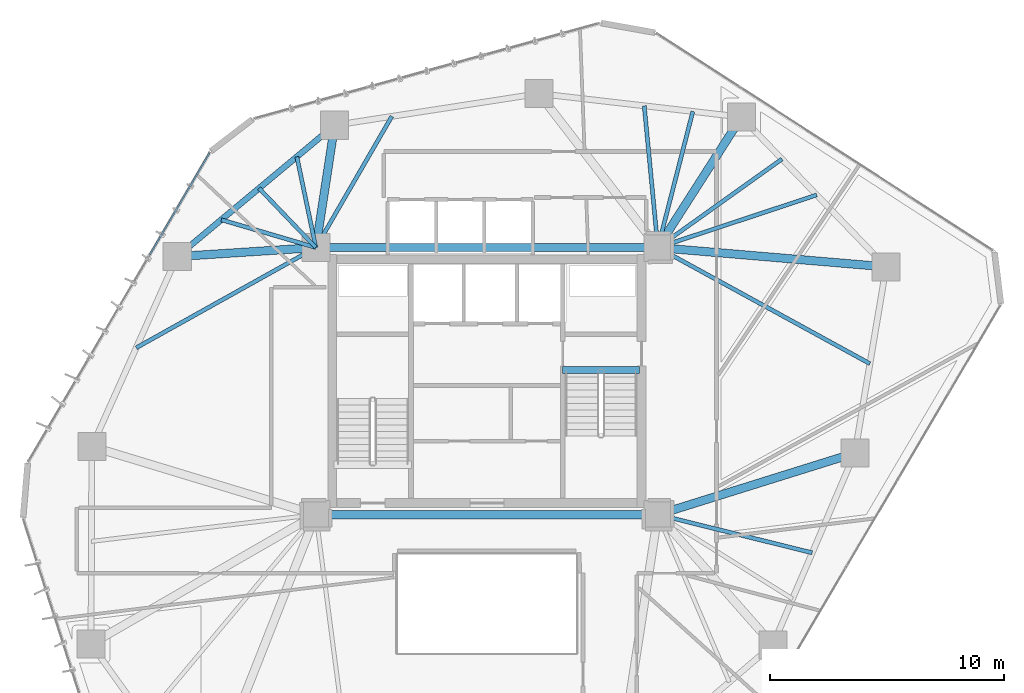
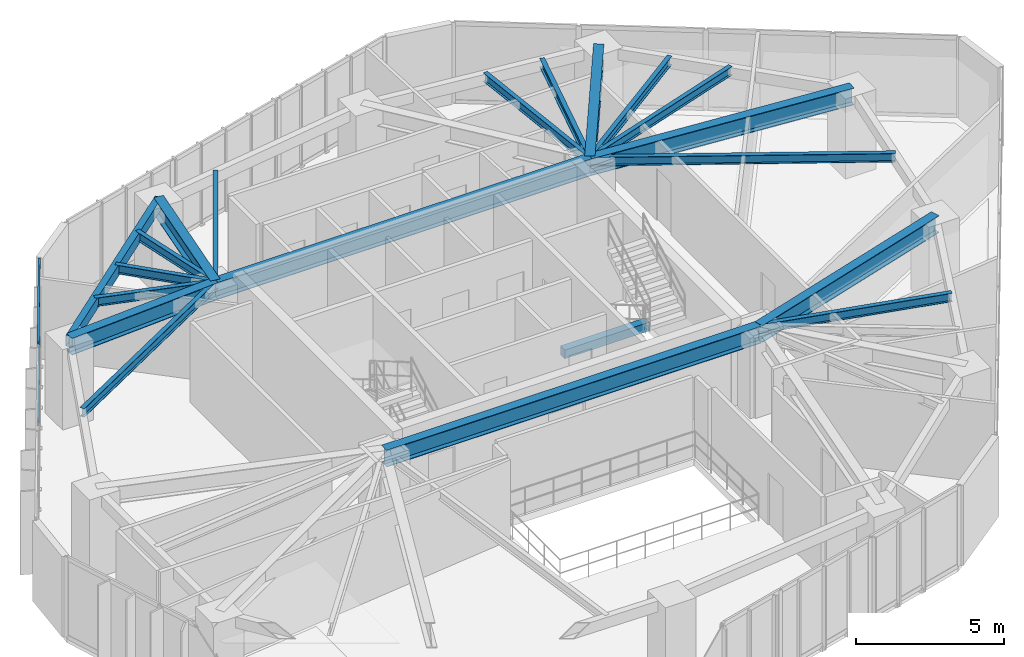
# One storey, part 9 of 20: 20 beams, 2 members, 1 element without a shape of its own.
"""IFC4 building model written with IfcOpenShell, lengths in metres."""

from ifc_helpers import new_model, si_unit, direction, frame, origin, origin_2d, place, context, subcontext, project, spatial, rectangle, hollow_rectangle, i_section, extrude, source, transform, mapped, material, layer, layer_set, material_profile, profile_set, type_object, type_shapes, element, aggregate, save


model = new_model("IFC4")

# Units and contexts
model_context = context("Model", 3, precision=1e-05, world=origin(), true_north=direction((0.0, 1.0)))
body_context = subcontext(model_context, "Body", "Model", "MODEL_VIEW")
ifc_project = project(units=[si_unit("LENGTHUNIT", "METRE"), si_unit("AREAUNIT", "SQUARE_METRE"), si_unit("VOLUMEUNIT", "CUBIC_METRE"), si_unit("PLANEANGLEUNIT", "RADIAN"), si_unit("MASSUNIT", "GRAM", prefix="KILO")], contexts=[model_context])

# Site, building, storey
site_placement = place(None, origin())
site = spatial("IfcSite", under=ifc_project, at=site_placement, CompositionType="ELEMENT")
building_placement = place(site_placement, origin())
building = spatial("IfcBuilding", under=site, at=building_placement, Name="Talar Marvaseh", CompositionType="ELEMENT")
storey_placement = place(building_placement, frame((0.0, 0.0, 136.199951171875)))
storey = spatial("IfcBuildingStorey", under=building, at=storey_placement, Name="L35", CompositionType="ELEMENT", Elevation=136.199951171875)

# Beams
ifc_material_1 = material(Name="Concrete C40/50", Category="concrete")
ifc_material_profile_1 = material_profile(ifc_material_1, rectangle(XDim=0.300048828125, YDim=0.360107421875, at=origin_2d()), Name="RC300x360")
ifc_profile_set_1 = profile_set([ifc_material_profile_1], Name="Concrete C40/50")
beam_type_1 = type_object("IfcBeamType", Name="Concrete Stair Landing Trimmer Beam RC300x360", PredefinedType="SPANDREL", material=ifc_profile_set_1)
beam_1_placement = place(storey_placement, frame((29.219970703125, 31.669921875, -0.179931640625), z_axis=(1.0, 0.0, 0.0), x_axis=(0.0, 1.0, 0.0)))
element("IfcBeam", 1, at=beam_1_placement, inside=storey, type_object=beam_type_1, Name="L35 ST-2 Stair Nosing Trimmer Beam", PredefinedType="SPANDREL", context=body_context, shape_type="SweptSolid", body=[
    extrude(rectangle(XDim=0.300048828125, YDim=0.360107421875, at=origin_2d()), origin(), (0.0, 0.0, 1.0), 3.300048828125),
])
ifc_material_2 = material(Name="Steel S355", Category="steel")
ifc_material_profile_2 = material_profile(ifc_material_2, hollow_rectangle(XDim=0.25, YDim=0.449951171875, WallThickness=0.01611328125, at=origin_2d()), Name="RHS450x250x16")
ifc_profile_set_2 = profile_set([ifc_material_profile_2], Name="Steel S355")
beam_type_2 = type_object("IfcBeamType", Name="Zone 2 Perimeter Spandrel Beam RHS450x250x16", PredefinedType="SPANDREL", material=ifc_profile_set_2)
beam_2_placement = place(storey_placement, frame((12.780029296875, 36.51708984375, 3.0849609375), z_axis=(0.76793081465, 0.640532796905, 0.0), x_axis=(-0.640532796905, 0.76793081465, 0.0)))
element("IfcBeam", 2, at=beam_2_placement, inside=storey, type_object=beam_type_2, Name="L35 Zone 2 Perimeter Spandrel Beam RHS450x250x16", PredefinedType="SPANDREL", context=body_context, shape_type="SweptSolid", body=[
    extrude(hollow_rectangle(XDim=0.25, YDim=0.449951171875, WallThickness=0.01611328125, at=origin_2d()), origin(), (0.0, 0.0, 1.0), 8.751953125),
])
ifc_material_profile_3 = material_profile(ifc_material_2, i_section(OverallWidth=0.35498046875, OverallDepth=0.695068359375, WebThickness=0.015380859375, FlangeThickness=0.02490234375, at=origin_2d()), Name="W690x217")
ifc_profile_set_3 = profile_set([ifc_material_profile_3], Name="Steel S355")
beam_type_3 = type_object("IfcBeamType", Name="Zone 2 Radial Floor Girder W690x217", PredefinedType="BEAM", material=ifc_profile_set_3)
for number, where, z_axis, x_axis, name in (
    (3, (18.699951171875, 25.5, 2.962646484375), (1.0, 0.0, 0.0), (0.0, 1.0, 0.0), "L35 Zone 2 Radial Floor Girder W690x217"),
    (4, (18.699951171875, 36.89990234375, 2.962646484375), (1.0, 0.0, 0.0), (0.0, 1.0, 0.0), "L35 Zone 2 Radial Floor Girder W690x217"),
):
    element("IfcBeam", number, at=place(storey_placement, frame(where, z_axis=z_axis, x_axis=x_axis)), inside=storey, type_object=beam_type_3, Name=name, PredefinedType="BEAM", context=body_context, shape_type="SweptSolid", body=[
        extrude(i_section(OverallWidth=0.35498046875, OverallDepth=0.695068359375, WebThickness=0.015380859375, FlangeThickness=0.02490234375, at=origin_2d()), origin(), (0.0, 0.0, 1.0), 14.60009765625),
    ])
beam_3_placement = place(storey_placement, frame((36.865966796875, 42.470947265625, 2.962646484375), z_axis=(-0.539101874952, -0.842240564461, 0.0), x_axis=(0.842240564461, -0.539101874952, 0.0)))
element("IfcBeam", 5, at=beam_3_placement, inside=storey, type_object=beam_type_3, Name="L35 Zone 2 Radial Floor Girder W690x217", PredefinedType="BEAM", context=body_context, shape_type="SweptSolid", body=[
    extrude(i_section(OverallWidth=0.35498046875, OverallDepth=0.695068359375, WebThickness=0.015380859375, FlangeThickness=0.02490234375, at=origin_2d()), origin(), (0.0, 0.0, 1.0), 6.614501953125),
])
beam_4_placement = place(storey_placement, frame((43.0439453125, 36.075927734375, 2.962646484375), z_axis=(-0.996443598923, 0.084262412527, 0.0), x_axis=(-0.084262412527, -0.996443598923, 0.0)))
element("IfcBeam", 6, at=beam_4_placement, inside=storey, type_object=beam_type_3, Name="L35 Zone 2 Radial Floor Girder W690x217", PredefinedType="BEAM", context=body_context, shape_type="SweptSolid", body=[
    extrude(i_section(OverallWidth=0.35498046875, OverallDepth=0.695068359375, WebThickness=0.015380859375, FlangeThickness=0.02490234375, at=origin_2d()), origin(), (0.0, 0.0, 1.0), 9.778564453125),
])
beam_5_placement = place(storey_placement, frame((41.708984375, 28.1279296875, 2.962646484375), z_axis=(-0.954475540106, -0.298289194138, 0.0), x_axis=(0.298289194138, -0.954475540106, 0.0)))
element("IfcBeam", 7, at=beam_5_placement, inside=storey, type_object=beam_type_3, Name="L35 Zone 2 Radial Floor Girder W690x217", PredefinedType="BEAM", context=body_context, shape_type="SweptSolid", body=[
    extrude(i_section(OverallWidth=0.35498046875, OverallDepth=0.695068359375, WebThickness=0.015380859375, FlangeThickness=0.02490234375, at=origin_2d()), origin(), (0.0, 0.0, 1.0), 8.81005859375),
])
beam_6_placement = place(storey_placement, frame((12.780029296875, 36.51708984375, 2.962646484375), z_axis=(0.997915745008, 0.064530348407, 0.0), x_axis=(-0.064530348407, 0.997915745008, 0.0)))
element("IfcBeam", 8, at=beam_6_placement, inside=storey, type_object=beam_type_3, Name="L35 Zone 2 Radial Floor Girder W690x217", PredefinedType="BEAM", context=body_context, shape_type="SweptSolid", body=[
    extrude(i_section(OverallWidth=0.35498046875, OverallDepth=0.695068359375, WebThickness=0.015380859375, FlangeThickness=0.02490234375, at=origin_2d()), origin(), (0.0, 0.0, 1.0), 5.932373046875),
])
beam_7_placement = place(storey_placement, frame((19.5009765625, 42.123046875, 2.962646484375), z_axis=(-0.151588471466, -0.98844369355, 0.0), x_axis=(0.98844369355, -0.151588471466, 0.0)))
element("IfcBeam", 9, at=beam_7_placement, inside=storey, type_object=beam_type_3, Name="L35 Zone 2 Radial Floor Girder W690x217", PredefinedType="BEAM", context=body_context, shape_type="SweptSolid", body=[
    extrude(i_section(OverallWidth=0.35498046875, OverallDepth=0.695068359375, WebThickness=0.015380859375, FlangeThickness=0.02490234375, at=origin_2d()), origin(), (0.0, 0.0, 1.0), 5.2841796875),
])
ifc_material_profile_4 = material_profile(ifc_material_2, i_section(OverallWidth=0.172119140625, OverallDepth=0.35791015625, WebThickness=0.0078125, FlangeThickness=0.01318359375, at=origin_2d()), Name="W360x57")
ifc_profile_set_4 = profile_set([ifc_material_profile_4], Name="Steel S355")
beam_type_4 = type_object("IfcBeamType", Name="Zone 2 Secondary Floor Joist W360x57", PredefinedType="JOIST", material=ifc_profile_set_4)
beam_8_placement = place(storey_placement, frame((38.595703125, 40.680419921875, 3.131103515625), z_axis=(-0.813885558782, -0.581025212195, 0.0), x_axis=(0.581025212195, -0.813885558782, 0.0)))
element("IfcBeam", 10, at=beam_8_placement, inside=storey, type_object=beam_type_4, Name="L35 Zone 2 Secondary Floor Joist W360x57", PredefinedType="JOIST", context=body_context, shape_type="SweptSolid", body=[
    extrude(i_section(OverallWidth=0.172119140625, OverallDepth=0.35791015625, WebThickness=0.0078125, FlangeThickness=0.01318359375, at=origin_2d()), origin(), (0.0, 0.0, 1.0), 6.506591796875),
])
beam_9_placement = place(storey_placement, frame((40.07861328125, 39.1455078125, 3.131103515625), z_axis=(-0.949266314022, -0.314473313754, 0.0), x_axis=(0.314473313754, -0.949266314022, 0.0)))
element("IfcBeam", 11, at=beam_9_placement, inside=storey, type_object=beam_type_4, Name="L35 Zone 2 Secondary Floor Joist W360x57", PredefinedType="JOIST", context=body_context, shape_type="SweptSolid", body=[
    extrude(i_section(OverallWidth=0.172119140625, OverallDepth=0.35791015625, WebThickness=0.0078125, FlangeThickness=0.01318359375, at=origin_2d()), origin(), (0.0, 0.0, 1.0), 7.140869140625),
])
beam_10_placement = place(storey_placement, frame((42.349853515625, 31.943115234375, 3.131103515625), z_axis=(-0.877057817553, 0.480384829766, 0.0), x_axis=(-0.480384829766, -0.877057817553, 0.0)))
element("IfcBeam", 12, at=beam_10_placement, inside=storey, type_object=beam_type_4, Name="L35 Zone 2 Secondary Floor Joist W360x57", PredefinedType="JOIST", context=body_context, shape_type="SweptSolid", body=[
    extrude(i_section(OverallWidth=0.172119140625, OverallDepth=0.35791015625, WebThickness=0.0078125, FlangeThickness=0.01318359375, at=origin_2d()), origin(), (0.0, 0.0, 1.0), 10.318359375),
])
beam_11_placement = place(storey_placement, frame((39.887451171875, 23.870849609375, 3.131103515625), z_axis=(-0.970753133019, 0.240079892396, 0.0), x_axis=(-0.240079892396, -0.970753133019, 0.0)))
element("IfcBeam", 13, at=beam_11_placement, inside=storey, type_object=beam_type_4, Name="L35 Zone 2 Secondary Floor Joist W360x57", PredefinedType="JOIST", context=body_context, shape_type="SweptSolid", body=[
    extrude(i_section(OverallWidth=0.172119140625, OverallDepth=0.35791015625, WebThickness=0.0078125, FlangeThickness=0.01318359375, at=origin_2d()), origin(), (0.0, 0.0, 1.0), 6.785888671875),
])
beam_12_placement = place(storey_placement, frame((11.03173828125, 32.621826171875, 3.131103515625), z_axis=(0.873287668061, 0.487204935128, 0.0), x_axis=(-0.487204935128, 0.873287668061, 0.0)))
element("IfcBeam", 14, at=beam_12_placement, inside=storey, type_object=beam_type_4, Name="L35 Zone 2 Secondary Floor Joist W360x57", PredefinedType="JOIST", context=body_context, shape_type="SweptSolid", body=[
    extrude(i_section(OverallWidth=0.172119140625, OverallDepth=0.35791015625, WebThickness=0.0078125, FlangeThickness=0.01318359375, at=origin_2d()), origin(), (0.0, 0.0, 1.0), 8.78076171875),
])
beam_13_placement = place(storey_placement, frame((14.661865234375, 38.086669921875, 3.131103515625), z_axis=(0.959423672171, -0.281968468587, 0.0), x_axis=(0.281968468587, 0.959423672171, 0.0)))
element("IfcBeam", 15, at=beam_13_placement, inside=storey, type_object=beam_type_4, Name="L35 Zone 2 Secondary Floor Joist W360x57", PredefinedType="JOIST", context=body_context, shape_type="SweptSolid", body=[
    extrude(i_section(OverallWidth=0.172119140625, OverallDepth=0.35791015625, WebThickness=0.0078125, FlangeThickness=0.01318359375, at=origin_2d()), origin(), (0.0, 0.0, 1.0), 4.208984375),
])
beam_14_placement = place(storey_placement, frame((16.27490234375, 39.43212890625, 3.131103515625), z_axis=(0.691657292908, -0.722225857449, 0.0), x_axis=(0.722225857449, 0.691657292908, 0.0)))
element("IfcBeam", 16, at=beam_14_placement, inside=storey, type_object=beam_type_4, Name="L35 Zone 2 Secondary Floor Joist W360x57", PredefinedType="JOIST", context=body_context, shape_type="SweptSolid", body=[
    extrude(i_section(OverallWidth=0.172119140625, OverallDepth=0.35791015625, WebThickness=0.0078125, FlangeThickness=0.01318359375, at=origin_2d()), origin(), (0.0, 0.0, 1.0), 3.506103515625),
])
beam_15_placement = place(storey_placement, frame((17.887939453125, 40.777587890625, 3.131103515625), z_axis=(0.204960633597, -0.978770217505, 0.0), x_axis=(0.978770217505, 0.204960633597, 0.0)))
element("IfcBeam", 17, at=beam_15_placement, inside=storey, type_object=beam_type_4, Name="L35 Zone 2 Secondary Floor Joist W360x57", PredefinedType="JOIST", context=body_context, shape_type="SweptSolid", body=[
    extrude(i_section(OverallWidth=0.172119140625, OverallDepth=0.35791015625, WebThickness=0.0078125, FlangeThickness=0.01318359375, at=origin_2d()), origin(), (0.0, 0.0, 1.0), 3.9619140625),
])
beam_16_placement = place(storey_placement, frame((21.94287109375, 42.500732421875, 3.131103515625), z_axis=(-0.501074932228, -0.865403901246, 0.0), x_axis=(0.865403901246, -0.501074932228, 0.0)))
element("IfcBeam", 18, at=beam_16_placement, inside=storey, type_object=beam_type_4, Name="L35 Zone 2 Secondary Floor Joist W360x57", PredefinedType="JOIST", context=body_context, shape_type="SweptSolid", body=[
    extrude(i_section(OverallWidth=0.172119140625, OverallDepth=0.35791015625, WebThickness=0.0078125, FlangeThickness=0.01318359375, at=origin_2d()), origin(), (0.0, 0.0, 1.0), 6.471923828125),
])
beam_17_placement = place(storey_placement, frame((32.716796875, 42.951416015625, 3.131103515625), z_axis=(0.095936604223, -0.995387446159, 0.0), x_axis=(0.995387446159, 0.095936604223, 0.0)))
element("IfcBeam", 19, at=beam_17_placement, inside=storey, type_object=beam_type_4, Name="L35 Zone 2 Secondary Floor Joist W360x57", PredefinedType="JOIST", context=body_context, shape_type="SweptSolid", body=[
    extrude(i_section(OverallWidth=0.172119140625, OverallDepth=0.35791015625, WebThickness=0.0078125, FlangeThickness=0.01318359375, at=origin_2d()), origin(), (0.0, 0.0, 1.0), 6.07958984375),
])
beam_18_placement = place(storey_placement, frame((34.79150390625, 42.711181640625, 3.131103515625), z_axis=(-0.248591710753, -0.968608363243, 0.0), x_axis=(0.968608363243, -0.248591710753, 0.0)))
element("IfcBeam", 20, at=beam_18_placement, inside=storey, type_object=beam_type_4, Name="L35 Zone 2 Secondary Floor Joist W360x57", PredefinedType="JOIST", context=body_context, shape_type="SweptSolid", body=[
    extrude(i_section(OverallWidth=0.172119140625, OverallDepth=0.35791015625, WebThickness=0.0078125, FlangeThickness=0.01318359375, at=origin_2d()), origin(), (0.0, 0.0, 1.0), 5.99951171875),
])

# Curtain wall, members
ifc_material_3 = material(Name="Architectural Aluminium", Category="aluminium")
ifc_layer = layer(ifc_material_3, 0.199951171875)
ifc_layer_set = layer_set([ifc_layer], Name="Architectural Aluminium")
curtain_wall_type = type_object("IfcCurtainWallType", Name="Unitised Acoustic Library Curtain Wall Z2", PredefinedType="NOTDEFINED", material=ifc_layer_set)
curtain_wall_placement = place(storey_placement, origin())
curtain_wall = element("IfcCurtainWall", 21, at=curtain_wall_placement, inside=storey, type_object=curtain_wall_type, Name="L35 Unitised Acoustic Library Curtain Wall Z2", PredefinedType="NOTDEFINED")
ifc_material_profile_5 = material_profile(ifc_material_3, hollow_rectangle(XDim=0.074951171875, YDim=0.179931640625, WallThickness=0.0048828125, at=origin_2d()), Name="RHS180x75x5")
ifc_profile_set_5 = profile_set([ifc_material_profile_5], Name="Architectural Aluminium")
member_type = type_object("IfcMemberType", Name="Unitised Curtain Wall Transom RHS180x75x5", PredefinedType="USERDEFINED", material=ifc_profile_set_5)
shared_shape = source(origin(), body_context, "Body", "SweptSolid", [
    extrude(hollow_rectangle(XDim=0.074951171875, YDim=0.179931640625, WallThickness=0.0048828125, at=origin_2d()), origin(), (0.0, 0.0, 1.0), 5.017578125),
])
type_shapes(member_type, [shared_shape])
member_1_placement = place(storey_placement, frame((11.61962890625, 36.607421875, 0.03759765625), z_axis=(0.506530962102, 0.862221772186, 0.0), x_axis=(-0.862221772186, 0.506530962102, 0.0)))
member_1 = element("IfcMember", 22, at=member_1_placement, type_object=member_type, Name="CW-Z2 transom 3.1", ObjectType="TRANSOM", PredefinedType="USERDEFINED", context=body_context, shape_type="MappedRepresentation", body=[
    mapped(shared_shape, transform((0.0, 0.0, 0.0), x_axis=(1.0, 0.0, 0.0), y_axis=(0.0, 1.0, 0.0), z_axis=(0.0, 0.0, 1.0), scale=1.0)),
])
member_2_placement = place(storey_placement, frame((11.61962890625, 36.607421875, 3.2724609375), z_axis=(0.506530962102, 0.862221772186, 0.0), x_axis=(-0.862221772186, 0.506530962102, 0.0)))
member_2 = element("IfcMember", 23, at=member_2_placement, type_object=member_type, Name="CW-Z2 transom 3.2", ObjectType="TRANSOM", PredefinedType="USERDEFINED", context=body_context, shape_type="MappedRepresentation", body=[
    mapped(shared_shape, transform((0.0, 0.0, 0.0), x_axis=(1.0, 0.0, 0.0), y_axis=(0.0, 1.0, 0.0), z_axis=(0.0, 0.0, 1.0), scale=1.0)),
])
aggregate(curtain_wall, [member_1, member_2])

save(model, "model.ifc")
